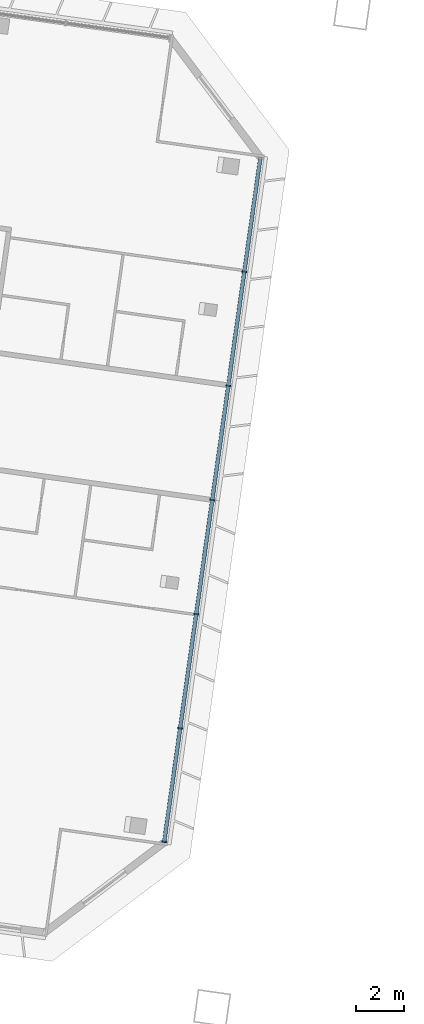
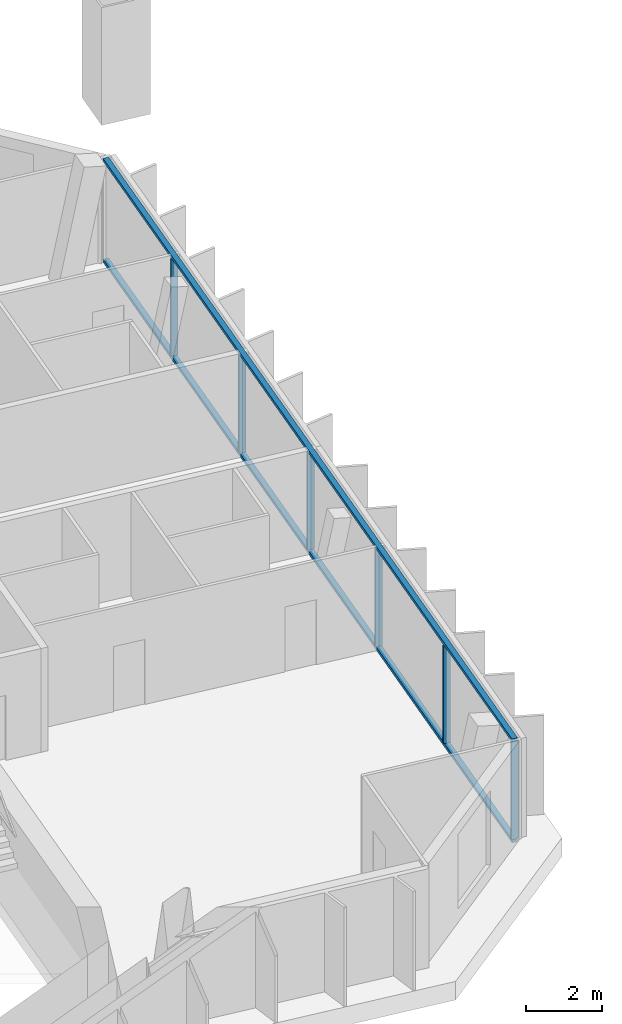
# One storey, part 5 of 26: 8 members, 1 element without a shape of its own.
"""IFC4 building model written with IfcOpenShell, lengths in metres."""

from ifc_helpers import new_model, si_unit, direction, frame, origin, origin_2d, place, context, subcontext, project, spatial, rectangle, extrude, material, material_profile, profile_set, type_object, element, aggregate, save


model = new_model("IFC4")

# Units and contexts
model_context = context("Model", 3, precision=1e-05, world=origin(), true_north=direction((0.0, 1.0)))
body_context = subcontext(model_context, "Body", "Model", "MODEL_VIEW")
ifc_project = project(units=[si_unit("LENGTHUNIT", "METRE"), si_unit("AREAUNIT", "SQUARE_METRE"), si_unit("VOLUMEUNIT", "CUBIC_METRE"), si_unit("PLANEANGLEUNIT", "RADIAN"), si_unit("MASSUNIT", "GRAM", prefix="KILO")], contexts=[model_context])

# Site, building, storey
site_placement = place(None, origin())
site = spatial("IfcSite", under=ifc_project, at=site_placement, CompositionType="ELEMENT")
building_placement = place(site_placement, origin())
building = spatial("IfcBuilding", under=site, at=building_placement, Name="Mirante Cascada Hotel Towers", CompositionType="ELEMENT")
storey_placement = place(building_placement, frame((0.0, 0.0, 235.6)))
storey = spatial("IfcBuildingStorey", under=building, at=storey_placement, Name="L56", CompositionType="ELEMENT", Elevation=235.6)

# Curtain wall, members
ifc_material_1 = material(Name="Aluminium mullion and transom frame with clear laminated glass", Category="aluminium")
curtain_wall_type = type_object("IfcCurtainWallType", Name="End ribbon curtain wall ECW2", PredefinedType="NOTDEFINED", material=ifc_material_1)
curtain_wall_placement = place(storey_placement, origin())
curtain_wall = element("IfcCurtainWall", 1, at=curtain_wall_placement, inside=storey, type_object=curtain_wall_type, Name="Inner end wall T1 L56", PredefinedType="NOTDEFINED")
ifc_material_2 = material(Name="Anodised aluminium extrusion", Category="aluminium")
ifc_material_profile_1 = material_profile(ifc_material_2, rectangle(XDim=0.2, YDim=0.065, at=origin_2d()), Name="ECW2 MULLION 65x200")
ifc_profile_set_1 = profile_set([ifc_material_profile_1], Name="Anodised aluminium extrusion")
member_type_1 = type_object("IfcMemberType", Name="ECW2 mullion 65x200", PredefinedType="MULLION", material=ifc_profile_set_1)
member_1_placement = place(storey_placement, frame((-20.4724, 6.3808, 0.1), z_axis=(0.0, 0.0, 1.0), x_axis=(0.9902681, -0.1391731, 0.0)))
member_1 = element("IfcMember", 2, at=member_1_placement, type_object=member_type_1, Name="ECW2 mullion 2", PredefinedType="MULLION", context=body_context, shape_type="SweptSolid", body=[
    extrude(rectangle(XDim=0.2, YDim=0.065, at=origin_2d()), origin(), (0.0, 0.0, 1.0), 3.15),
])
member_2_placement = place(storey_placement, frame((-21.1421, 1.615, 0.1), z_axis=(0.0, 0.0, 1.0), x_axis=(0.9902681, -0.1391731, 0.0)))
member_2 = element("IfcMember", 3, at=member_2_placement, type_object=member_type_1, Name="ECW2 mullion 3", PredefinedType="MULLION", context=body_context, shape_type="SweptSolid", body=[
    extrude(rectangle(XDim=0.2, YDim=0.065, at=origin_2d()), origin(), (0.0, 0.0, 1.0), 3.15),
])
member_3_placement = place(storey_placement, frame((-21.8119, -3.1508, 0.1), z_axis=(0.0, 0.0, 1.0), x_axis=(0.9902681, -0.1391731, 0.0)))
member_3 = element("IfcMember", 4, at=member_3_placement, type_object=member_type_1, Name="ECW2 mullion 4", PredefinedType="MULLION", context=body_context, shape_type="SweptSolid", body=[
    extrude(rectangle(XDim=0.2, YDim=0.065, at=origin_2d()), origin(), (0.0, 0.0, 1.0), 3.15),
])
member_4_placement = place(storey_placement, frame((-22.4817, -7.9165, 0.1), z_axis=(0.0, 0.0, 1.0), x_axis=(0.9902681, -0.1391731, 0.0)))
member_4 = element("IfcMember", 5, at=member_4_placement, type_object=member_type_1, Name="ECW2 mullion 5", PredefinedType="MULLION", context=body_context, shape_type="SweptSolid", body=[
    extrude(rectangle(XDim=0.2, YDim=0.065, at=origin_2d()), origin(), (0.0, 0.0, 1.0), 3.15),
])
member_5_placement = place(storey_placement, frame((-23.1515, -12.6823, 0.1), z_axis=(0.0, 0.0, 1.0), x_axis=(0.9902681, -0.1391731, 0.0)))
member_5 = element("IfcMember", 6, at=member_5_placement, type_object=member_type_1, Name="ECW2 mullion 6", PredefinedType="MULLION", context=body_context, shape_type="SweptSolid", body=[
    extrude(rectangle(XDim=0.2, YDim=0.065, at=origin_2d()), origin(), (0.0, 0.0, 1.0), 3.15),
])
member_6_placement = place(storey_placement, frame((-23.8168, -17.4159, 0.1), z_axis=(0.0, 0.0, 1.0), x_axis=(0.9902681, -0.1391731, 0.0)))
member_6 = element("IfcMember", 7, at=member_6_placement, type_object=member_type_1, Name="ECW2 mullion 7", PredefinedType="MULLION", context=body_context, shape_type="SweptSolid", body=[
    extrude(rectangle(XDim=0.2, YDim=0.065, at=origin_2d()), origin(), (0.0, 0.0, 1.0), 3.15),
])
ifc_material_3 = material(Name="Anodised aluminium extrusion", Category="aluminium")
ifc_material_profile_2 = material_profile(ifc_material_3, rectangle(XDim=0.16, YDim=0.1, at=origin_2d()), Name="ECW2 TRANSOM 100x160")
ifc_profile_set_2 = profile_set([ifc_material_profile_2], Name="Anodised aluminium extrusion")
member_type_2 = type_object("IfcMemberType", Name="ECW2 transom 100x160", PredefinedType="USERDEFINED", material=ifc_profile_set_2)
member_7_placement = place(storey_placement, frame((-19.8026, 11.1466, 0.05), z_axis=(-0.1391723, -0.9902682, 0.0), x_axis=(0.9902682, -0.1391723, 0.0)))
member_7 = element("IfcMember", 8, at=member_7_placement, type_object=member_type_2, Name="ECW2 sill transom", ObjectType="TRANSOM", PredefinedType="USERDEFINED", context=body_context, shape_type="SweptSolid", body=[
    extrude(rectangle(XDim=0.16, YDim=0.1, at=origin_2d()), origin(), (0.0, 0.0, 1.0), 28.8757),
])
member_8_placement = place(storey_placement, frame((-19.8026, 11.1466, 3.3), z_axis=(-0.1391723, -0.9902682, 0.0), x_axis=(0.9902682, -0.1391723, 0.0)))
member_8 = element("IfcMember", 9, at=member_8_placement, type_object=member_type_2, Name="ECW2 head transom", ObjectType="TRANSOM", PredefinedType="USERDEFINED", context=body_context, shape_type="SweptSolid", body=[
    extrude(rectangle(XDim=0.16, YDim=0.1, at=origin_2d()), origin(), (0.0, 0.0, 1.0), 28.8757),
])
aggregate(curtain_wall, [member_7, member_8, member_1, member_2, member_3, member_4, member_5, member_6])

save(model, "model.ifc")
